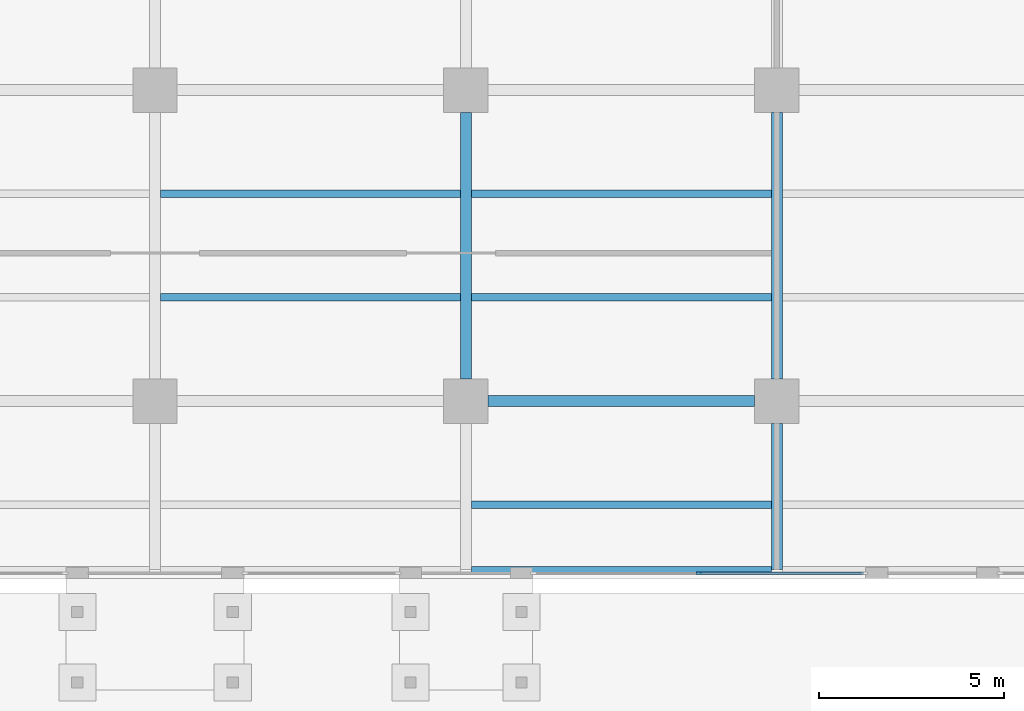
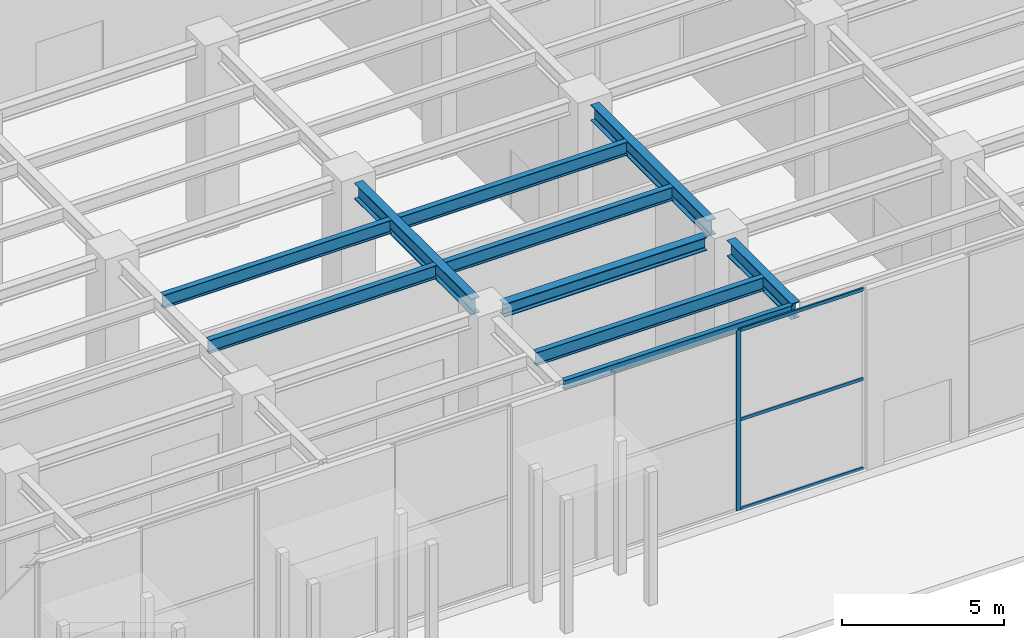
# One storey, part 7 of 43: 10 beams, 4 members, 1 element without a shape of its own.
"""IFC4 building model written with IfcOpenShell, lengths in metres."""

from ifc_helpers import new_model, si_unit, direction, frame, origin, origin_2d, place, context, subcontext, project, spatial, rectangle, i_section, extrude, material, material_profile, profile_set, type_object, element, aggregate, save


model = new_model("IFC4")

# Units and contexts
model_context = context("Model", 3, precision=1e-05, world=origin(), true_north=direction((0.0, 1.0)))
body_context = subcontext(model_context, "Body", "Model", "MODEL_VIEW")
ifc_project = project(units=[si_unit("LENGTHUNIT", "METRE"), si_unit("AREAUNIT", "SQUARE_METRE"), si_unit("VOLUMEUNIT", "CUBIC_METRE"), si_unit("PLANEANGLEUNIT", "RADIAN"), si_unit("MASSUNIT", "GRAM", prefix="KILO")], contexts=[model_context])

# Site, building, storey
site_placement = place(None, origin())
site = spatial("IfcSite", under=ifc_project, at=site_placement, CompositionType="ELEMENT")
building_placement = place(site_placement, origin())
building = spatial("IfcBuilding", under=site, at=building_placement, Name="Khepri Terraces", CompositionType="ELEMENT")
storey_placement = place(building_placement, origin())
storey = spatial("IfcBuildingStorey", under=building, at=storey_placement, Name="L00", CompositionType="ELEMENT", Elevation=0.0)

# Curtain wall, members
ifc_material_1 = material(Name="Anodised aluminium bronze curtain wall", Category="aluminium")
curtain_wall_type = type_object("IfcCurtainWallType", Name="CW-SYS1-LOBBY", PredefinedType="NOTDEFINED", material=ifc_material_1)
curtain_wall_placement = place(storey_placement, origin())
curtain_wall = element("IfcCurtainWall", 1, at=curtain_wall_placement, inside=storey, type_object=curtain_wall_type, Name="Curtain wall CW1 L00 S", PredefinedType="NOTDEFINED")
ifc_material_2 = material(Name="Anodised aluminium bronze", Category="aluminium")
ifc_material_profile_1 = material_profile(ifc_material_2, rectangle(XDim=0.06005859375, YDim=0.159912109375, at=origin_2d()), Name="Anodised aluminium bronze", Category="aluminium")
ifc_profile_set_1 = profile_set([ifc_material_profile_1], Name="Anodised aluminium bronze")
member_type_1 = type_object("IfcMemberType", Name="CW-MULLION-60x160", PredefinedType="MULLION", material=ifc_profile_set_1)
member_1_placement = place(storey_placement, frame((14.699951171875, -46.64990234375, 0.0), z_axis=(0.0, 0.0, 1.0), x_axis=(0.0, 1.0, 0.0)))
member_1 = element("IfcMember", 2, at=member_1_placement, type_object=member_type_1, Name="CW1 mullion 2", PredefinedType="MULLION", context=body_context, shape_type="SweptSolid", body=[
    extrude(rectangle(XDim=0.06005859375, YDim=0.159912109375, at=origin_2d()), origin(), (0.0, 0.0, 1.0), 6.780029296875),
])
ifc_material_profile_2 = material_profile(ifc_material_2, rectangle(XDim=0.06005859375, YDim=0.1201171875, at=origin_2d()), Name="Anodised aluminium bronze", Category="aluminium")
ifc_profile_set_2 = profile_set([ifc_material_profile_2], Name="Anodised aluminium bronze")
member_type_2 = type_object("IfcMemberType", Name="CW-TRANSOM-60x120", PredefinedType="USERDEFINED", material=ifc_profile_set_2)
member_2_placement = place(storey_placement, frame((14.72998046875, -46.64990234375, 0.030029296875), z_axis=(1.0, 0.0, 0.0), x_axis=(0.0, 1.0, 0.0)))
member_2 = element("IfcMember", 3, at=member_2_placement, type_object=member_type_2, Name="CW1 transom 2.1", ObjectType="TRANSOM", PredefinedType="USERDEFINED", context=body_context, shape_type="SweptSolid", body=[
    extrude(rectangle(XDim=0.06005859375, YDim=0.1201171875, at=origin_2d()), origin(), (0.0, 0.0, 1.0), 4.409912109375),
])
member_3_placement = place(storey_placement, frame((14.72998046875, -46.64990234375, 3.389892578125), z_axis=(1.0, 0.0, 0.0), x_axis=(0.0, 1.0, 0.0)))
member_3 = element("IfcMember", 4, at=member_3_placement, type_object=member_type_2, Name="CW1 transom 2.2", ObjectType="TRANSOM", PredefinedType="USERDEFINED", context=body_context, shape_type="SweptSolid", body=[
    extrude(rectangle(XDim=0.06005859375, YDim=0.1201171875, at=origin_2d()), origin(), (0.0, 0.0, 1.0), 4.409912109375),
])
member_4_placement = place(storey_placement, frame((14.72998046875, -46.64990234375, 6.75), z_axis=(1.0, 0.0, 0.0), x_axis=(0.0, 1.0, 0.0)))
member_4 = element("IfcMember", 5, at=member_4_placement, type_object=member_type_2, Name="CW1 transom 2.3", ObjectType="TRANSOM", PredefinedType="USERDEFINED", context=body_context, shape_type="SweptSolid", body=[
    extrude(rectangle(XDim=0.06005859375, YDim=0.1201171875, at=origin_2d()), origin(), (0.0, 0.0, 1.0), 4.409912109375),
])
aggregate(curtain_wall, [member_1, member_2, member_3, member_4])

# Beams
ifc_material_3 = material(Name="Steel S355", Category="steel")
ifc_material_profile_3 = material_profile(ifc_material_3, i_section(OverallWidth=0.300048828125, OverallDepth=0.60009765625, WebThickness=0.015380859375, FlangeThickness=0.030029296875, FilletRadius=0.027099609375, at=origin_2d()), Name="Steel S355", Category="steel")
ifc_profile_set_3 = profile_set([ifc_material_profile_3], Name="Steel S355")
beam_type_1 = type_object("IfcBeamType", Name="Podium cantilever girder L01 HEB 600", PredefinedType="BEAM", material=ifc_profile_set_3)
beam_1_placement = place(storey_placement, frame((16.800048828125, -46.550048828125, 6.699951171875), z_axis=(0.0, 1.0, 0.0), x_axis=(-1.0, 0.0, 0.0)))
element("IfcBeam", 6, at=beam_1_placement, inside=storey, type_object=beam_type_1, Name="Podium girder L01 059", PredefinedType="BEAM", context=body_context, shape_type="SweptSolid", body=[
    extrude(i_section(OverallWidth=0.300048828125, OverallDepth=0.60009765625, WebThickness=0.015380859375, FlangeThickness=0.030029296875, FilletRadius=0.027099609375, at=origin_2d()), origin(), (0.0, 0.0, 1.0), 3.949951171875),
])
ifc_material_profile_4 = material_profile(ifc_material_3, i_section(OverallWidth=0.169921875, OverallDepth=0.360107421875, WebThickness=0.008056640625, FlangeThickness=0.0126953125, FilletRadius=0.01806640625, at=origin_2d()), Name="Steel S355", Category="steel")
ifc_profile_set_4 = profile_set([ifc_material_profile_4], Name="Steel S355")
beam_type_2 = type_object("IfcBeamType", Name="Podium edge beam L01 IPE 360", PredefinedType="SPANDREL", material=ifc_profile_set_4)
beam_2_placement = place(storey_placement, frame((8.550048828125, -46.550048828125, 6.820068359375), z_axis=(1.0, 0.0, 0.0), x_axis=(0.0, 1.0, 0.0)))
element("IfcBeam", 7, at=beam_2_placement, inside=storey, type_object=beam_type_2, Name="Podium edge beam L01 008", PredefinedType="SPANDREL", context=body_context, shape_type="SweptSolid", body=[
    extrude(i_section(OverallWidth=0.169921875, OverallDepth=0.360107421875, WebThickness=0.008056640625, FlangeThickness=0.0126953125, FilletRadius=0.01806640625, at=origin_2d()), origin(), (0.0, 0.0, 1.0), 8.099853515625),
])
ifc_material_profile_5 = material_profile(ifc_material_3, i_section(OverallWidth=0.300048828125, OverallDepth=0.60009765625, WebThickness=0.015380859375, FlangeThickness=0.030029296875, FilletRadius=0.027099609375, at=origin_2d()), Name="Steel S355", Category="steel")
ifc_profile_set_5 = profile_set([ifc_material_profile_5], Name="Steel S355")
beam_type_3 = type_object("IfcBeamType", Name="Podium girder L01 HEB 600", PredefinedType="BEAM", material=ifc_profile_set_5)
for number, where, z_axis, x_axis, name in (
    (8, (8.39990234375, -41.39990234375, 6.699951171875), (0.0, 1.0, 0.0), (-1.0, 0.0, 0.0), "Podium girder L01 054"),
    (9, (16.800048828125, -41.39990234375, 6.699951171875), (0.0, 1.0, 0.0), (-1.0, 0.0, 0.0), "Podium girder L01 060"),
):
    element("IfcBeam", number, at=place(storey_placement, frame(where, z_axis=z_axis, x_axis=x_axis)), inside=storey, type_object=beam_type_3, Name=name, PredefinedType="BEAM", context=body_context, shape_type="SweptSolid", body=[
        extrude(i_section(OverallWidth=0.300048828125, OverallDepth=0.60009765625, WebThickness=0.015380859375, FlangeThickness=0.030029296875, FilletRadius=0.027099609375, at=origin_2d()), origin(), (0.0, 0.0, 1.0), 7.199951171875),
    ])
ifc_material_profile_6 = material_profile(ifc_material_3, i_section(OverallWidth=0.300048828125, OverallDepth=0.5, WebThickness=0.014404296875, FlangeThickness=0.028076171875, FilletRadius=0.027099609375, at=origin_2d()), Name="Steel S355", Category="steel")
ifc_profile_set_6 = profile_set([ifc_material_profile_6], Name="Steel S355")
beam_type_4 = type_object("IfcBeamType", Name="Podium girder L01 grid line HEB 500", PredefinedType="BEAM", material=ifc_profile_set_6)
beam_3_placement = place(storey_placement, frame((9.0, -42.0, 6.75), z_axis=(1.0, 0.0, 0.0), x_axis=(0.0, 1.0, 0.0)))
element("IfcBeam", 10, at=beam_3_placement, inside=storey, type_object=beam_type_4, Name="Podium grid-line girder L01 020", PredefinedType="BEAM", context=body_context, shape_type="SweptSolid", body=[
    extrude(i_section(OverallWidth=0.300048828125, OverallDepth=0.5, WebThickness=0.014404296875, FlangeThickness=0.028076171875, FilletRadius=0.027099609375, at=origin_2d()), origin(), (0.0, 0.0, 1.0), 7.199951171875),
])
ifc_material_profile_7 = material_profile(ifc_material_3, i_section(OverallWidth=0.199951171875, OverallDepth=0.5, WebThickness=0.01025390625, FlangeThickness=0.01611328125, FilletRadius=0.02099609375, at=origin_2d()), Name="Steel S355", Category="steel")
ifc_profile_set_7 = profile_set([ifc_material_profile_7], Name="Steel S355")
beam_type_5 = type_object("IfcBeamType", Name="Podium joist L01 IPE 500", PredefinedType="JOIST", material=ifc_profile_set_7)
beam_4_placement = place(storey_placement, frame((8.550048828125, -44.800048828125, 6.75), z_axis=(1.0, 0.0, 0.0), x_axis=(0.0, 1.0, 0.0)))
element("IfcBeam", 11, at=beam_4_placement, inside=storey, type_object=beam_type_5, Name="Podium joist L01 008", PredefinedType="JOIST", context=body_context, shape_type="SweptSolid", body=[
    extrude(i_section(OverallWidth=0.199951171875, OverallDepth=0.5, WebThickness=0.01025390625, FlangeThickness=0.01611328125, FilletRadius=0.02099609375, at=origin_2d()), origin(), (0.0, 0.0, 1.0), 8.099853515625),
])
beam_5_placement = place(storey_placement, frame((0.14990234375, -39.199951171875, 6.75), z_axis=(1.0, 0.0, 0.0), x_axis=(0.0, 1.0, 0.0)))
element("IfcBeam", 12, at=beam_5_placement, inside=storey, type_object=beam_type_5, Name="Podium joist L01 031", PredefinedType="JOIST", context=body_context, shape_type="SweptSolid", body=[
    extrude(i_section(OverallWidth=0.199951171875, OverallDepth=0.5, WebThickness=0.01025390625, FlangeThickness=0.01611328125, FilletRadius=0.02099609375, at=origin_2d()), origin(), (0.0, 0.0, 1.0), 8.10009765625),
])
beam_6_placement = place(storey_placement, frame((8.550048828125, -39.199951171875, 6.75), z_axis=(1.0, 0.0, 0.0), x_axis=(0.0, 1.0, 0.0)))
element("IfcBeam", 13, at=beam_6_placement, inside=storey, type_object=beam_type_5, Name="Podium joist L01 032", PredefinedType="JOIST", context=body_context, shape_type="SweptSolid", body=[
    extrude(i_section(OverallWidth=0.199951171875, OverallDepth=0.5, WebThickness=0.01025390625, FlangeThickness=0.01611328125, FilletRadius=0.02099609375, at=origin_2d()), origin(), (0.0, 0.0, 1.0), 8.099853515625),
])
beam_7_placement = place(storey_placement, frame((0.14990234375, -36.39990234375, 6.75), z_axis=(1.0, 0.0, 0.0), x_axis=(0.0, 1.0, 0.0)))
element("IfcBeam", 14, at=beam_7_placement, inside=storey, type_object=beam_type_5, Name="Podium joist L01 043", PredefinedType="JOIST", context=body_context, shape_type="SweptSolid", body=[
    extrude(i_section(OverallWidth=0.199951171875, OverallDepth=0.5, WebThickness=0.01025390625, FlangeThickness=0.01611328125, FilletRadius=0.02099609375, at=origin_2d()), origin(), (0.0, 0.0, 1.0), 8.10009765625),
])
beam_8_placement = place(storey_placement, frame((8.550048828125, -36.39990234375, 6.75), z_axis=(1.0, 0.0, 0.0), x_axis=(0.0, 1.0, 0.0)))
element("IfcBeam", 15, at=beam_8_placement, inside=storey, type_object=beam_type_5, Name="Podium joist L01 044", PredefinedType="JOIST", context=body_context, shape_type="SweptSolid", body=[
    extrude(i_section(OverallWidth=0.199951171875, OverallDepth=0.5, WebThickness=0.01025390625, FlangeThickness=0.01611328125, FilletRadius=0.02099609375, at=origin_2d()), origin(), (0.0, 0.0, 1.0), 8.099853515625),
])

save(model, "model.ifc")
